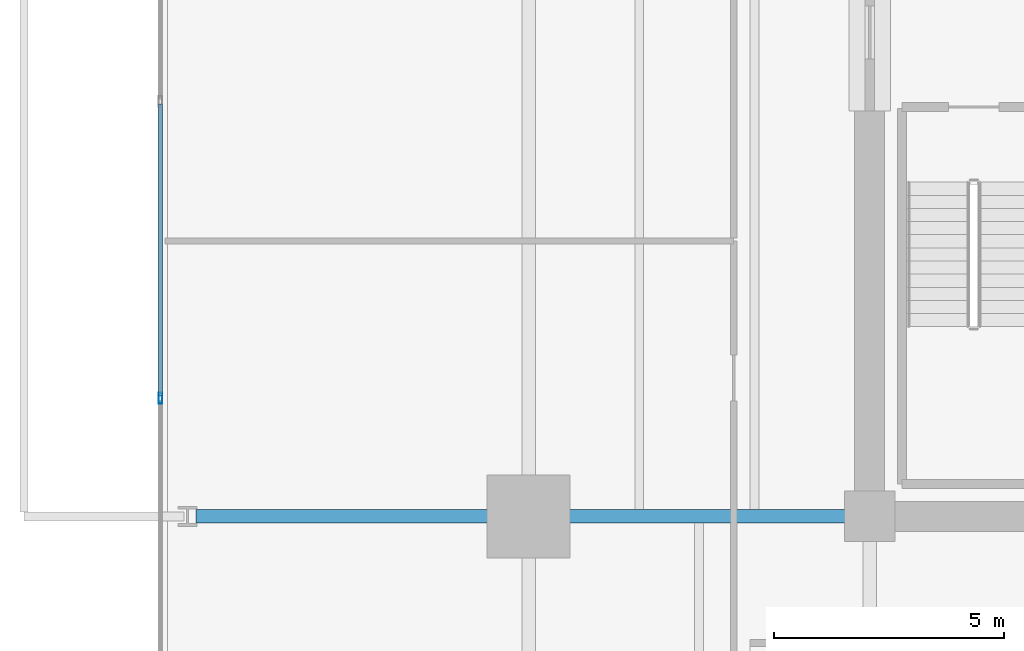
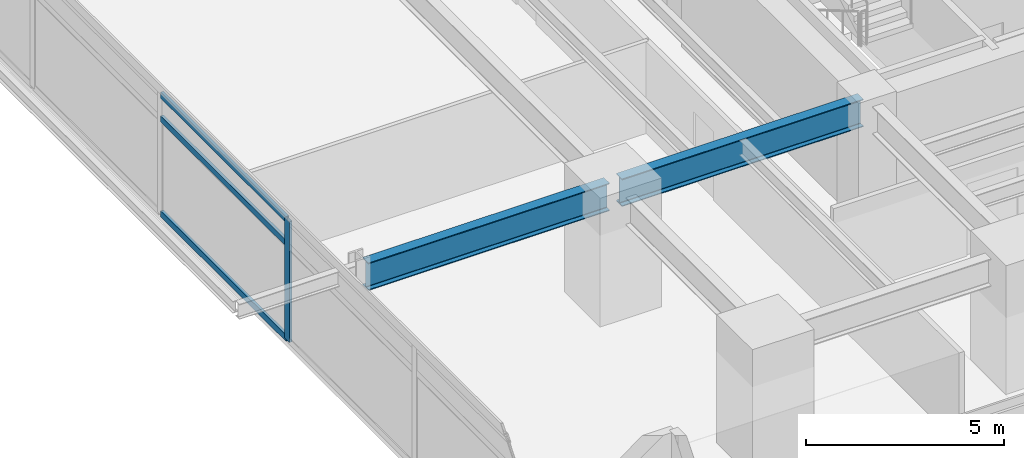
# One storey, part 4 of 24: 4 members, 2 beams, 1 element without a shape of its own.
"""IFC4 building model written with IfcOpenShell, lengths in metres."""

import ifcopenshell
import ifcopenshell.guid

model = None  # the IFC model being written
_history = None  # IfcOwnerHistory: only IFC2X3 demands one
_inside = {}  # id of a spatial element -> (the spatial element, [elements in it])
_under = {}  # id of a project, library or spatial element -> (it, [spatial elements below it])
_declared = {}  # id of a project -> (the project, [libraries it declares])
_typed = {}  # id of a type object -> (the type object, [elements of that type])
_made_of = {}  # id of a material, layer set ... -> (it, [elements and type objects made of it])


def new_model(schema):
    """Start an empty IFC model of exactly this schema.

    Asked for "IFC4X3", IfcOpenShell would pick the latest addendum, in which some entities
    have other attributes; the version numbers below select the first issue.
    IFC2X3 requires an IfcOwnerHistory on every rooted entity: one is made here for all.
    """
    global model, _history
    if schema == "IFC4X3":
        model = ifcopenshell.file(schema_version=(4, 3, 0, 0))
    else:
        model = ifcopenshell.file(schema=schema)
    _inside.clear()
    _under.clear()
    _declared.clear()
    _typed.clear()
    _made_of.clear()
    _history = None
    if model.schema == "IFC2X3":
        org = make("IfcOrganization", Name="unknown")
        user = make(
            "IfcPersonAndOrganization",
            ThePerson=make("IfcPerson", FamilyName="unknown"),
            TheOrganization=org,
        )
        app = make(
            "IfcApplication",
            ApplicationDeveloper=org,
            Version="unknown",
            ApplicationFullName="unknown",
            ApplicationIdentifier="unknown",
        )
        _history = make(
            "IfcOwnerHistory",
            OwningUser=user,
            OwningApplication=app,
            ChangeAction="ADDED",
            CreationDate=0,
        )
    return model


def make(cls, **values):
    """One entity of the class cls with the attributes given. An attribute that is None is left unset."""
    return model.create_entity(
        cls, **{name: value for name, value in values.items() if value is not None}
    )


def rooted(cls, **values):
    """An entity with a GlobalId (a new one), such as an element, a storey or a relation."""
    return make(cls, GlobalId=ifcopenshell.guid.new(), OwnerHistory=_history, **values)


def si_unit(unit_type, name, prefix=None):
    """IfcSIUnit, for example si_unit("LENGTHUNIT", "METRE", prefix="MILLI")."""
    return make("IfcSIUnit", UnitType=unit_type, Prefix=prefix, Name=name)


def assignment(units):
    """IfcUnitAssignment: the units of a project."""
    return None if units is None else make("IfcUnitAssignment", Units=units)


def point(xyz):
    """IfcCartesianPoint."""
    return None if xyz is None else make("IfcCartesianPoint", Coordinates=xyz)


def direction(xyz):
    """IfcDirection."""
    return None if xyz is None else make("IfcDirection", DirectionRatios=xyz)


def frame(location, z_axis=None, x_axis=None):
    """IfcAxis2Placement3D, a coordinate frame: its origin and axes. An axis left out is left unset."""
    return make(
        "IfcAxis2Placement3D",
        Location=point(location),
        Axis=direction(z_axis),
        RefDirection=direction(x_axis),
    )


def frame_2d(location, x_axis=None):
    """IfcAxis2Placement2D, a coordinate frame in the plane: its origin and x axis."""
    return make(
        "IfcAxis2Placement2D", Location=point(location), RefDirection=direction(x_axis)
    )


def origin():
    """The frame at (0, 0, 0) with its axes left unset."""
    return frame((0.0, 0.0, 0.0))


def origin_2d():
    """The frame at (0, 0) in the plane with its x axis left unset."""
    return frame_2d((0.0, 0.0))


def place(relative_to, where):
    """IfcLocalPlacement: puts the frame where relative to a parent placement (None: the world)."""
    return make(
        "IfcLocalPlacement", PlacementRelTo=relative_to, RelativePlacement=where
    )


def context(
    kind, dimensions, precision=None, world=None, true_north=None, identifier=None
):
    """IfcGeometricRepresentationContext, for example the 3D "Model" context."""
    return make(
        "IfcGeometricRepresentationContext",
        ContextIdentifier=identifier,
        ContextType=kind,
        CoordinateSpaceDimension=dimensions,
        Precision=precision,
        WorldCoordinateSystem=world,
        TrueNorth=true_north,
    )


def subcontext(parent, identifier, kind, view, scale=None):
    """IfcGeometricRepresentationSubContext, for example "Body" below "Model"."""
    return make(
        "IfcGeometricRepresentationSubContext",
        ContextIdentifier=identifier,
        ContextType=kind,
        ParentContext=parent,
        TargetScale=scale,
        TargetView=view,
    )


def project(units=None, contexts=None):
    """IfcProject with its units and contexts."""
    return rooted(
        "IfcProject",
        Name="project",
        RepresentationContexts=contexts,
        UnitsInContext=assignment(units),
    )


def spatial(cls, under=None, at=None, **own):
    """A site, building, storey or space (cls), placed at a placement, below another one or the project."""
    s = rooted(cls, ObjectPlacement=at, **own)
    if under is not None:
        _under.setdefault(under.id(), (under, []))[1].append(s)
    return s


def profile(cls, at=None, kind="AREA", **sizes):
    """A parametric profile (cls). Its sizes go by their IFC names, for example OverallWidth=200.0."""
    return make(cls, ProfileType=kind, Position=at, **sizes)


def hollow_rectangle(**sizes):
    """IfcRectangleHollowProfileDef."""
    return profile("IfcRectangleHollowProfileDef", **sizes)


def i_section(**sizes):
    """IfcIShapeProfileDef."""
    return profile("IfcIShapeProfileDef", **sizes)


def extrude(swept, where, along, depth):
    """IfcExtrudedAreaSolid: the profile swept, set in the frame where, extruded along a direction by depth."""
    return make(
        "IfcExtrudedAreaSolid",
        SweptArea=swept,
        Position=where,
        ExtrudedDirection=direction(along),
        Depth=depth,
    )


def shape(context_of_items, identifier, shape_type, items):
    """IfcShapeRepresentation: the items that make up one representation, for example the "Body"."""
    return make(
        "IfcShapeRepresentation",
        ContextOfItems=context_of_items,
        RepresentationIdentifier=identifier,
        RepresentationType=shape_type,
        Items=items,
    )


def material(Name=None, Category=None):
    """IfcMaterial."""
    return make("IfcMaterial", Name=Name, Category=Category)


def material_profile(
    of_material, cross_section, Name=None, Category=None, Priority=None
):
    """IfcMaterialProfile: a cross section and its material."""
    return make(
        "IfcMaterialProfile",
        Name=Name,
        Material=of_material,
        Profile=cross_section,
        Priority=Priority,
        Category=Category,
    )


def profile_set(profiles, Name=None, composite=None):
    """IfcMaterialProfileSet."""
    return make(
        "IfcMaterialProfileSet",
        Name=Name,
        MaterialProfiles=profiles,
        CompositeProfile=composite,
    )


def made_of(thing, what):
    """Note that an element or type object is made of a material, layer set ...; save() writes the relation."""
    if what is not None:
        _made_of.setdefault(what.id(), (what, []))[1].append(thing)
    return thing


def type_object(cls, material=None, **own):
    """A type object (cls), such as IfcWallType, which elements share."""
    return made_of(rooted(cls, **own), material)


def element(
    cls,
    number,
    at=None,
    inside=None,
    cuts=None,
    type_object=None,
    material=None,
    context=None,
    identifier="Body",
    shape_type=None,
    held_by="IfcProductDefinitionShape",
    body=None,
    shapes=None,
    **own,
):
    """One element of the class cls, such as IfcWall. Its Tag is "e" and its number.

    at: its placement. inside: the storey or other place that contains it. cuts: it is an
    opening in that element (IfcRelVoidsElement). A single representation is given by context,
    identifier, shape_type and body (its items); several are given by shapes. held_by: the class
    of the entity that holds the representations. save() writes the other relations.
    """
    e = rooted(cls, Tag="e%d" % number, ObjectPlacement=at, **own)
    if body is not None:
        shapes = [shape(context, identifier, shape_type, body)]
    if shapes is not None:
        e.Representation = make(held_by, Representations=shapes)
    if inside is not None:
        _inside.setdefault(inside.id(), (inside, []))[1].append(e)
    if cuts is not None:
        rooted(
            "IfcRelVoidsElement", RelatingBuildingElement=cuts, RelatedOpeningElement=e
        )
    if type_object is not None:
        _typed.setdefault(type_object.id(), (type_object, []))[1].append(e)
    return made_of(e, material)


def aggregate(whole, parts):
    """IfcRelAggregates: a whole, such as a stair, and the parts it consists of."""
    return rooted("IfcRelAggregates", RelatingObject=whole, RelatedObjects=parts)


def save(model, path):
    """Write the relations noted so far, then the file.

    IfcRelAggregates (storeys below a building ...), IfcRelContainedInSpatialStructure (elements
    in a storey), IfcRelDefinesByType, IfcRelAssociatesMaterial and IfcRelDeclares: one each for
    every whole, place, type object, material and project.
    """
    for whole, parts in _under.values():
        aggregate(whole, parts)
    for where, things in _inside.values():
        rooted(
            "IfcRelContainedInSpatialStructure",
            RelatedElements=things,
            RelatingStructure=where,
        )
    for kind, things in _typed.values():
        rooted("IfcRelDefinesByType", RelatedObjects=things, RelatingType=kind)
    for what, things in _made_of.values():
        rooted("IfcRelAssociatesMaterial", RelatedObjects=things, RelatingMaterial=what)
    for by, libraries in _declared.values():
        rooted("IfcRelDeclares", RelatingContext=by, RelatedDefinitions=libraries)
    model.write(path)


model = new_model("IFC4")

# Units and contexts
model_context = context("Model", 3, precision=1e-05, world=origin(), true_north=direction((0.0, 1.0)))
body_context = subcontext(model_context, "Body", "Model", "MODEL_VIEW")
ifc_project = project(units=[si_unit("LENGTHUNIT", "METRE"), si_unit("AREAUNIT", "SQUARE_METRE"), si_unit("VOLUMEUNIT", "CUBIC_METRE"), si_unit("PLANEANGLEUNIT", "RADIAN"), si_unit("MASSUNIT", "GRAM", prefix="KILO")], contexts=[model_context])

# Site, building, storey
site_placement = place(None, origin())
site = spatial("IfcSite", under=ifc_project, at=site_placement, CompositionType="ELEMENT")
building_placement = place(site_placement, origin())
building = spatial("IfcBuilding", under=site, at=building_placement, Name="Kovane Verandah Tower", CompositionType="ELEMENT")
storey_placement = place(building_placement, frame((0.0, 0.0, 95.60009765625)))
storey = spatial("IfcBuildingStorey", under=building, at=storey_placement, Name="L22", CompositionType="ELEMENT", Elevation=95.60009765625)

# Beams
ifc_material_1 = material(Name="Steel S355", Category="steel")
ifc_material_profile_1 = material_profile(ifc_material_1, i_section(OverallWidth=0.293701171875, OverallDepth=0.850830078125, WebThickness=0.01611328125, FlangeThickness=0.02685546875, FilletRadius=0.017822265625, at=origin_2d()), Name="UB838x292x226")
ifc_profile_set_1 = profile_set([ifc_material_profile_1], Name="Steel S355")
beam_type = type_object("IfcBeamType", Name="BM-UB838x226", PredefinedType="BEAM", material=ifc_profile_set_1)
for number, where, z_axis, x_axis, name in (
    (1, (28.820068359375, 18.5, 3.33447265625), (-1.0, 0.0, 0.0), (0.0, -1.0, 0.0), "L22 Primary Tower Girder G-W1"),
    (2, (21.419921875, 18.5, 3.33447265625), (-1.0, 0.0, 0.0), (0.0, -1.0, 0.0), "L22 Primary Tower Girder G-VW1"),
):
    element("IfcBeam", number, at=place(storey_placement, frame(where, z_axis=z_axis, x_axis=x_axis)), inside=storey, type_object=beam_type, Name=name, PredefinedType="BEAM", context=body_context, shape_type="SweptSolid", body=[
        extrude(i_section(OverallWidth=0.293701171875, OverallDepth=0.850830078125, WebThickness=0.01611328125, FlangeThickness=0.02685546875, FilletRadius=0.017822265625, at=origin_2d()), origin(), (0.0, 0.0, 1.0), 7.0400390625),
    ])

# Curtain wall, members
ifc_material_2 = material(Name="Champagne Anodised Aluminium Frame with Low-E Clear Laminated Glass", Category="aluminium")
curtain_wall_type = type_object("IfcCurtainWallType", Name="CW-SYS-02-LOW", PredefinedType="NOTDEFINED", material=ifc_material_2)
curtain_wall_placement = place(storey_placement, origin())
curtain_wall = element("IfcCurtainWall", 3, at=curtain_wall_placement, inside=storey, type_object=curtain_wall_type, Name="L22 W Unitised Curtain Wall", PredefinedType="NOTDEFINED")
ifc_material_3 = material(Name="Champagne Anodised Aluminium 6063-T6", Category="aluminium")
ifc_material_profile_2 = material_profile(ifc_material_3, hollow_rectangle(XDim=0.0849609375, YDim=0.22998046875, WallThickness=0.00390625, at=origin_2d()), Name="AL85x230x4")
ifc_profile_set_2 = profile_set([ifc_material_profile_2], Name="Champagne Anodised Aluminium 6063-T6")
member_type_1 = type_object("IfcMemberType", Name="CW-MUL-85x230", PredefinedType="MULLION", material=ifc_profile_set_2)
member_1_placement = place(storey_placement, frame((13.613037109375, 21.06298828125, 0.02001953125), z_axis=(0.0, 0.0, 1.0), x_axis=(-1.0, 0.0, 0.0)))
member_1 = element("IfcMember", 4, at=member_1_placement, type_object=member_type_1, Name="L22 W Unitised Curtain Wall Mullion 5", PredefinedType="MULLION", context=body_context, shape_type="SweptSolid", body=[
    extrude(hollow_rectangle(XDim=0.0849609375, YDim=0.22998046875, WallThickness=0.00390625, at=origin_2d()), origin(), (0.0, 0.0, 1.0), 3.719970703125),
])
ifc_material_profile_3 = material_profile(ifc_material_3, hollow_rectangle(XDim=0.0849609375, YDim=0.18994140625, WallThickness=0.00390625, at=origin_2d()), Name="AL85x190x4")
ifc_profile_set_3 = profile_set([ifc_material_profile_3], Name="Champagne Anodised Aluminium 6063-T6")
member_type_2 = type_object("IfcMemberType", Name="CW-TRN-85x190", PredefinedType="USERDEFINED", material=ifc_profile_set_3)
member_2_placement = place(storey_placement, frame((13.613037109375, 27.449951171875, 0.0498046875), z_axis=(0.0, -1.0, 0.0), x_axis=(1.0, 0.0, 0.0)))
member_2 = element("IfcMember", 5, at=member_2_placement, type_object=member_type_2, Name="L22 W Unitised Curtain Wall Transom TB Bay 4", ObjectType="TRANSOM", PredefinedType="USERDEFINED", context=body_context, shape_type="SweptSolid", body=[
    extrude(hollow_rectangle(XDim=0.0849609375, YDim=0.18994140625, WallThickness=0.00390625, at=origin_2d()), origin(), (0.0, 0.0, 1.0), 6.3369140625),
])
member_3_placement = place(storey_placement, frame((13.613037109375, 27.449951171875, 2.97998046875), z_axis=(0.0, -1.0, 0.0), x_axis=(1.0, 0.0, 0.0)))
member_3 = element("IfcMember", 6, at=member_3_placement, type_object=member_type_2, Name="L22 W Unitised Curtain Wall Transom TM Bay 4", ObjectType="TRANSOM", PredefinedType="USERDEFINED", context=body_context, shape_type="SweptSolid", body=[
    extrude(hollow_rectangle(XDim=0.0849609375, YDim=0.18994140625, WallThickness=0.00390625, at=origin_2d()), origin(), (0.0, 0.0, 1.0), 6.3369140625),
])
member_4_placement = place(storey_placement, frame((13.613037109375, 27.449951171875, 3.7099609375), z_axis=(0.0, -1.0, 0.0), x_axis=(1.0, 0.0, 0.0)))
member_4 = element("IfcMember", 7, at=member_4_placement, type_object=member_type_2, Name="L22 W Unitised Curtain Wall Transom TT Bay 4", ObjectType="TRANSOM", PredefinedType="USERDEFINED", context=body_context, shape_type="SweptSolid", body=[
    extrude(hollow_rectangle(XDim=0.0849609375, YDim=0.18994140625, WallThickness=0.00390625, at=origin_2d()), origin(), (0.0, 0.0, 1.0), 6.3369140625),
])
aggregate(curtain_wall, [member_1, member_2, member_3, member_4])

save(model, "model.ifc")
